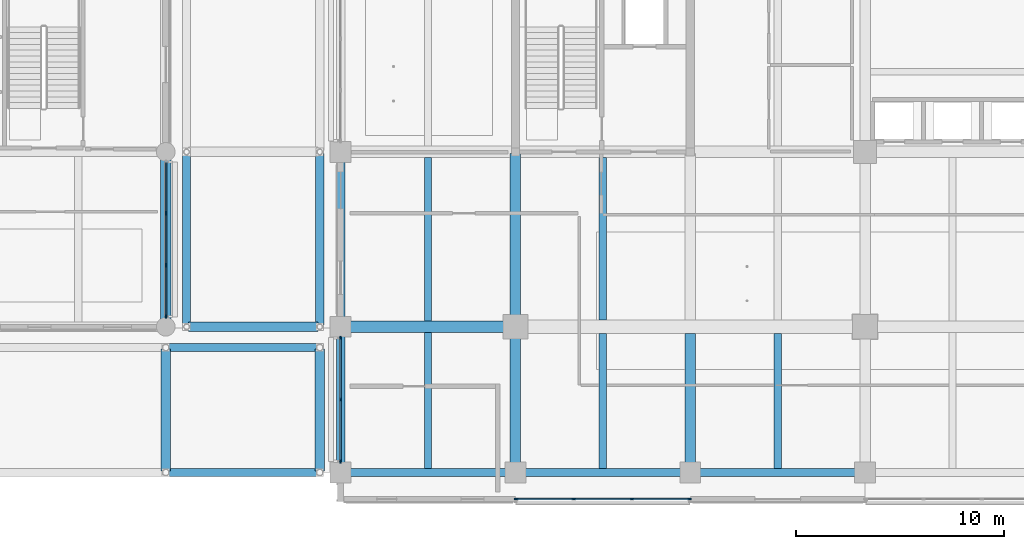
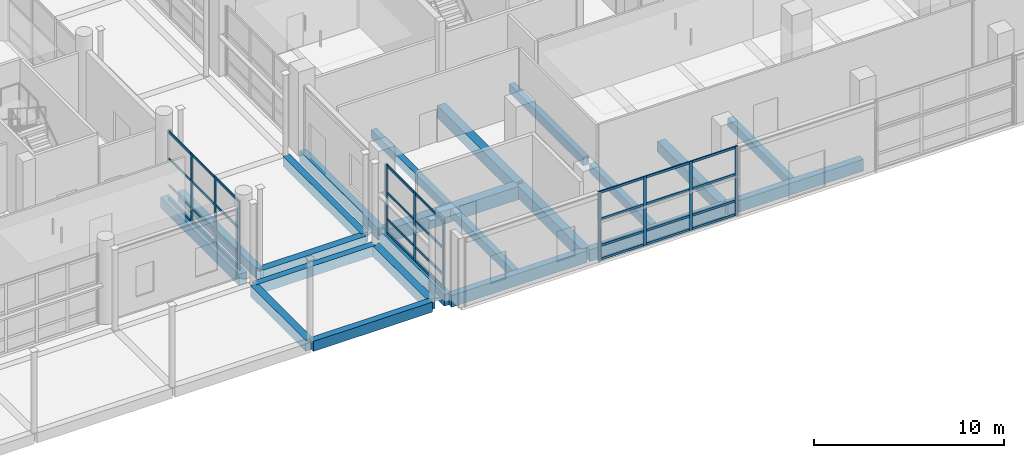
# One storey, part 20 of 140: 42 members, 22 beams, 3 elements without a shape of their own.
"""IFC4 building model written with IfcOpenShell, lengths in metres."""

from ifc_helpers import new_model, si_unit, direction, frame, origin, origin_2d, place, context, subcontext, project, spatial, rectangle, extrude, material, layer, layer_set, material_profile, profile_set, type_object, element, aggregate, save


model = new_model("IFC4")

# Units and contexts
model_context = context("Model", 3, precision=1e-05, world=origin(), true_north=direction((0.0, 1.0)))
body_context = subcontext(model_context, "Body", "Model", "MODEL_VIEW")
ifc_project = project(units=[si_unit("LENGTHUNIT", "METRE"), si_unit("AREAUNIT", "SQUARE_METRE"), si_unit("VOLUMEUNIT", "CUBIC_METRE"), si_unit("PLANEANGLEUNIT", "RADIAN"), si_unit("MASSUNIT", "GRAM", prefix="KILO")], contexts=[model_context])

# Site, building, storey
site_placement = place(None, origin())
site = spatial("IfcSite", under=ifc_project, at=site_placement, CompositionType="ELEMENT")
building_placement = place(site_placement, origin())
building = spatial("IfcBuilding", under=site, at=building_placement, Name="Telukmera Botanical Conservatory", CompositionType="ELEMENT")
storey_placement = place(building_placement, origin())
storey = spatial("IfcBuildingStorey", under=building, at=storey_placement, Name="L00", CompositionType="ELEMENT", Elevation=0.0)

# Beams
ifc_material_1 = material(Name="Concrete C40/50", Category="concrete")
ifc_material_profile_1 = material_profile(ifc_material_1, rectangle(XDim=0.5, YDim=0.699951171875, at=origin_2d()), Name="RC 500x700")
ifc_profile_set_1 = profile_set([ifc_material_profile_1], Name="Concrete C40/50")
beam_type_1 = type_object("IfcBeamType", Name="Beam_B14", PredefinedType="BEAM", material=ifc_profile_set_1)
beam_1_placement = place(storey_placement, frame((67.199951171875, 10.679931640625, -0.35009765625), z_axis=(0.0, 1.0, 0.0), x_axis=(-1.0, 0.0, 0.0)))
element("IfcBeam", 1, at=beam_1_placement, inside=storey, type_object=beam_type_1, Name="Tower Hall Secondary Girder L00", PredefinedType="BEAM", context=body_context, shape_type="SweptSolid", body=[
    extrude(rectangle(XDim=0.5, YDim=0.699951171875, at=origin_2d()), origin(), (0.0, 0.0, 1.0), 6.594970703125),
])
beam_2_placement = place(storey_placement, frame((42.0, 17.679931640625, -0.35009765625), z_axis=(0.0, 1.0, 0.0), x_axis=(-1.0, 0.0, 0.0)))
element("IfcBeam", 2, at=beam_2_placement, inside=storey, type_object=beam_type_1, Name="Visitor Wing Transverse Beam L00", PredefinedType="BEAM", context=body_context, shape_type="SweptSolid", body=[
    extrude(rectangle(XDim=0.5, YDim=0.699951171875, at=origin_2d()), origin(), (0.0, 0.0, 1.0), 8.239990234375),
])
ifc_material_profile_2 = material_profile(ifc_material_1, rectangle(XDim=0.449951171875, YDim=0.699951171875, at=origin_2d()), Name="RC 450x700")
ifc_profile_set_2 = profile_set([ifc_material_profile_2], Name="Concrete C40/50")
beam_type_2 = type_object("IfcBeamType", Name="Beam_B15", PredefinedType="BEAM", material=ifc_profile_set_2)
for number, where, z_axis, x_axis, name in (
    (3, (42.0, 10.679931640625, -0.35009765625), (0.0, 1.0, 0.0), (-1.0, 0.0, 0.0), "Forecourt Deck Transverse Beam L00"),
    (4, (49.39990234375, 10.679931640625, -0.35009765625), (0.0, 1.0, 0.0), (-1.0, 0.0, 0.0), "Forecourt Deck Transverse Beam L00"),
):
    element("IfcBeam", number, at=place(storey_placement, frame(where, z_axis=z_axis, x_axis=x_axis)), inside=storey, type_object=beam_type_2, Name=name, PredefinedType="BEAM", context=body_context, shape_type="SweptSolid", body=[
        extrude(rectangle(XDim=0.449951171875, YDim=0.699951171875, at=origin_2d()), origin(), (0.0, 0.0, 1.0), 5.840087890625),
    ])
beam_3_placement = place(storey_placement, frame((43.080078125, 17.60009765625, -0.35009765625), z_axis=(1.0, 0.0, 0.0), x_axis=(0.0, 1.0, 0.0)))
element("IfcBeam", 5, at=beam_3_placement, inside=storey, type_object=beam_type_2, Name="West Arcade Deck Transverse Beam L00", PredefinedType="BEAM", context=body_context, shape_type="SweptSolid", body=[
    extrude(rectangle(XDim=0.449951171875, YDim=0.699951171875, at=origin_2d()), origin(), (0.0, 0.0, 1.0), 6.239990234375),
])
ifc_material_profile_3 = material_profile(ifc_material_1, rectangle(XDim=0.35009765625, YDim=0.550048828125, at=origin_2d()), Name="RC 350x550")
ifc_profile_set_3 = profile_set([ifc_material_profile_3], Name="Concrete C40/50")
beam_type_3 = type_object("IfcBeamType", Name="Beam_B21", PredefinedType="JOIST", material=ifc_profile_set_3)
beam_4_placement = place(storey_placement, frame((54.60009765625, 10.800048828125, -0.27490234375), z_axis=(0.0, 1.0, 0.0), x_axis=(-1.0, 0.0, 0.0)))
element("IfcBeam", 6, at=beam_4_placement, inside=storey, type_object=beam_type_3, Name="Tower Secondary Floor Joist L00", PredefinedType="JOIST", context=body_context, shape_type="SweptSolid", body=[
    extrude(rectangle(XDim=0.35009765625, YDim=0.550048828125, at=origin_2d()), origin(), (0.0, 0.0, 1.0), 6.52490234375),
])
beam_5_placement = place(storey_placement, frame((54.60009765625, 17.875, -0.27490234375), z_axis=(0.0, 1.0, 0.0), x_axis=(-1.0, 0.0, 0.0)))
element("IfcBeam", 7, at=beam_5_placement, inside=storey, type_object=beam_type_3, Name="Tower Secondary Floor Joist L00", PredefinedType="JOIST", context=body_context, shape_type="SweptSolid", body=[
    extrude(rectangle(XDim=0.35009765625, YDim=0.550048828125, at=origin_2d()), origin(), (0.0, 0.0, 1.0), 7.85009765625),
])
beam_6_placement = place(storey_placement, frame((63.0, 10.800048828125, -0.27490234375), z_axis=(0.0, 1.0, 0.0), x_axis=(-1.0, 0.0, 0.0)))
element("IfcBeam", 8, at=beam_6_placement, inside=storey, type_object=beam_type_3, Name="Tower Secondary Floor Joist L00", PredefinedType="JOIST", context=body_context, shape_type="SweptSolid", body=[
    extrude(rectangle(XDim=0.35009765625, YDim=0.550048828125, at=origin_2d()), origin(), (0.0, 0.0, 1.0), 6.474853515625),
])
beam_7_placement = place(storey_placement, frame((63.0, 17.925048828125, -0.27490234375), z_axis=(0.0, 1.0, 0.0), x_axis=(-1.0, 0.0, 0.0)))
element("IfcBeam", 9, at=beam_7_placement, inside=storey, type_object=beam_type_3, Name="Tower Secondary Floor Joist L00", PredefinedType="JOIST", context=body_context, shape_type="SweptSolid", body=[
    extrude(rectangle(XDim=0.35009765625, YDim=0.550048828125, at=origin_2d()), origin(), (0.0, 0.0, 1.0), 7.800048828125),
])
beam_8_placement = place(storey_placement, frame((71.39990234375, 10.800048828125, -0.27490234375), z_axis=(0.0, 1.0, 0.0), x_axis=(-1.0, 0.0, 0.0)))
element("IfcBeam", 10, at=beam_8_placement, inside=storey, type_object=beam_type_3, Name="Tower Secondary Floor Joist L00", PredefinedType="JOIST", context=body_context, shape_type="SweptSolid", body=[
    extrude(rectangle(XDim=0.35009765625, YDim=0.550048828125, at=origin_2d()), origin(), (0.0, 0.0, 1.0), 6.474853515625),
])
ifc_material_profile_4 = material_profile(ifc_material_1, rectangle(XDim=0.550048828125, YDim=0.85009765625, at=origin_2d()), Name="RC 550x850")
ifc_profile_set_4 = profile_set([ifc_material_profile_4], Name="Concrete C40/50")
beam_type_4 = type_object("IfcBeamType", Name="Beam_B4", PredefinedType="BEAM", material=ifc_profile_set_4)
beam_9_placement = place(storey_placement, frame((50.47998046875, 17.60009765625, -0.425048828125), z_axis=(1.0, 0.0, 0.0), x_axis=(0.0, 1.0, 0.0)))
element("IfcBeam", 11, at=beam_9_placement, inside=storey, type_object=beam_type_4, Name="Tower Grid Beam L00", PredefinedType="BEAM", context=body_context, shape_type="SweptSolid", body=[
    extrude(rectangle(XDim=0.550048828125, YDim=0.85009765625, at=origin_2d()), origin(), (0.0, 0.0, 1.0), 8.239990234375),
])
ifc_material_profile_5 = material_profile(ifc_material_1, rectangle(XDim=0.5, YDim=0.800048828125, at=origin_2d()), Name="RC 500x800")
ifc_profile_set_5 = profile_set([ifc_material_profile_5], Name="Concrete C40/50")
beam_type_5 = type_object("IfcBeamType", Name="Beam_B5", PredefinedType="BEAM", material=ifc_profile_set_5)
beam_10_placement = place(storey_placement, frame((58.800048828125, 10.679931640625, -0.39990234375), z_axis=(0.0, 1.0, 0.0), x_axis=(-1.0, 0.0, 0.0)))
element("IfcBeam", 12, at=beam_10_placement, inside=storey, type_object=beam_type_5, Name="Tower Transverse Beam L00", PredefinedType="BEAM", context=body_context, shape_type="SweptSolid", body=[
    extrude(rectangle(XDim=0.5, YDim=0.800048828125, at=origin_2d()), origin(), (0.0, 0.0, 1.0), 6.840087890625),
])
beam_11_placement = place(storey_placement, frame((58.800048828125, 17.679931640625, -0.39990234375), z_axis=(0.0, 1.0, 0.0), x_axis=(-1.0, 0.0, 0.0)))
element("IfcBeam", 13, at=beam_11_placement, inside=storey, type_object=beam_type_5, Name="Tower Transverse Beam L00", PredefinedType="BEAM", context=body_context, shape_type="SweptSolid", body=[
    extrude(rectangle(XDim=0.5, YDim=0.800048828125, at=origin_2d()), origin(), (0.0, 0.0, 1.0), 8.239990234375),
])
ifc_material_profile_6 = material_profile(ifc_material_1, rectangle(XDim=0.39990234375, YDim=0.64990234375, at=origin_2d()), Name="RC 400x650")
ifc_profile_set_6 = profile_set([ifc_material_profile_6], Name="Concrete C40/50")
beam_type_6 = type_object("IfcBeamType", Name="Beam_B8", PredefinedType="BEAM", material=ifc_profile_set_6)
for number, where, z_axis, x_axis, name in (
    (14, (42.080078125, 10.60009765625, -0.324951171875), (1.0, 0.0, 0.0), (0.0, 1.0, 0.0), "Forecourt Deck Girder L00"),
    (15, (42.080078125, 16.60009765625, -0.324951171875), (1.0, 0.0, 0.0), (0.0, 1.0, 0.0), "Forecourt Deck Girder L00"),
):
    element("IfcBeam", number, at=place(storey_placement, frame(where, z_axis=z_axis, x_axis=x_axis)), inside=storey, type_object=beam_type_6, Name=name, PredefinedType="BEAM", context=body_context, shape_type="SweptSolid", body=[
        extrude(rectangle(XDim=0.39990234375, YDim=0.64990234375, at=origin_2d()), origin(), (0.0, 0.0, 1.0), 7.239990234375),
    ])
for number, where, z_axis, x_axis, name in (
    (16, (43.0, 17.679931640625, -0.324951171875), (0.0, 1.0, 0.0), (-1.0, 0.0, 0.0), "West Arcade Deck Girder L00"),
    (17, (49.39990234375, 17.679931640625, -0.324951171875), (0.0, 1.0, 0.0), (-1.0, 0.0, 0.0), "West Arcade Deck Girder L00"),
):
    element("IfcBeam", number, at=place(storey_placement, frame(where, z_axis=z_axis, x_axis=x_axis)), inside=storey, type_object=beam_type_6, Name=name, PredefinedType="BEAM", context=body_context, shape_type="SweptSolid", body=[
        extrude(rectangle(XDim=0.39990234375, YDim=0.64990234375, at=origin_2d()), origin(), (0.0, 0.0, 1.0), 8.239990234375),
    ])
ifc_material_2 = material(Name="Precast concrete C40/50", Category="concrete")
ifc_material_profile_7 = material_profile(ifc_material_2, rectangle(XDim=0.39990234375, YDim=0.75, at=origin_2d()), Name="PC 400x750")
ifc_profile_set_7 = profile_set([ifc_material_profile_7], Name="Precast concrete C40/50")
beam_type_7 = type_object("IfcBeamType", Name="Beam_SP1", PredefinedType="SPANDREL", material=ifc_profile_set_7)
beam_12_placement = place(storey_placement, frame((50.47998046875, 10.60009765625, -0.375), z_axis=(1.0, 0.0, 0.0), x_axis=(0.0, 1.0, 0.0)))
element("IfcBeam", 18, at=beam_12_placement, inside=storey, type_object=beam_type_7, Name="Tower Grid Beam L00", PredefinedType="SPANDREL", context=body_context, shape_type="SweptSolid", body=[
    extrude(rectangle(XDim=0.39990234375, YDim=0.75, at=origin_2d()), origin(), (0.0, 0.0, 1.0), 8.239990234375),
])
beam_13_placement = place(storey_placement, frame((58.8798828125, 10.60009765625, -0.375), z_axis=(1.0, 0.0, 0.0), x_axis=(0.0, 1.0, 0.0)))
element("IfcBeam", 19, at=beam_13_placement, inside=storey, type_object=beam_type_7, Name="Tower Grid Beam L00", PredefinedType="SPANDREL", context=body_context, shape_type="SweptSolid", body=[
    extrude(rectangle(XDim=0.39990234375, YDim=0.75, at=origin_2d()), origin(), (0.0, 0.0, 1.0), 8.240234375),
])
beam_14_placement = place(storey_placement, frame((67.280029296875, 10.60009765625, -0.375), z_axis=(1.0, 0.0, 0.0), x_axis=(0.0, 1.0, 0.0)))
element("IfcBeam", 20, at=beam_14_placement, inside=storey, type_object=beam_type_7, Name="Tower Grid Beam L00", PredefinedType="SPANDREL", context=body_context, shape_type="SweptSolid", body=[
    extrude(rectangle(XDim=0.39990234375, YDim=0.75, at=origin_2d()), origin(), (0.0, 0.0, 1.0), 8.239990234375),
])
beam_15_placement = place(storey_placement, frame((50.39990234375, 10.679931640625, -0.375), z_axis=(0.0, 1.0, 0.0), x_axis=(-1.0, 0.0, 0.0)))
element("IfcBeam", 21, at=beam_15_placement, inside=storey, type_object=beam_type_7, Name="Tower Transverse Beam L00", PredefinedType="SPANDREL", context=body_context, shape_type="SweptSolid", body=[
    extrude(rectangle(XDim=0.39990234375, YDim=0.75, at=origin_2d()), origin(), (0.0, 0.0, 1.0), 6.840087890625),
])
beam_16_placement = place(storey_placement, frame((50.39990234375, 17.679931640625, -0.375), z_axis=(0.0, 1.0, 0.0), x_axis=(-1.0, 0.0, 0.0)))
element("IfcBeam", 22, at=beam_16_placement, inside=storey, type_object=beam_type_7, Name="Tower Transverse Beam L00", PredefinedType="SPANDREL", context=body_context, shape_type="SweptSolid", body=[
    extrude(rectangle(XDim=0.39990234375, YDim=0.75, at=origin_2d()), origin(), (0.0, 0.0, 1.0), 8.239990234375),
])

# Curtain wall, members
ifc_material_3 = material(Name="Anodised aluminium 6063-T6", Category="aluminium")
ifc_layer_1 = layer(ifc_material_3, 0.179931640625)
ifc_layer_set_1 = layer_set([ifc_layer_1], Name="Anodised aluminium 6063-T6")
curtain_wall_type_1 = type_object("IfcCurtainWallType", Name="Visitor Colonnade Ground Curtain Wall 2400 Mod", PredefinedType="USERDEFINED", material=ifc_layer_set_1)
curtain_wall_1_placement = place(storey_placement, origin())
curtain_wall_1 = element("IfcCurtainWall", 23, at=curtain_wall_1_placement, inside=storey, type_object=curtain_wall_type_1, Name="Unitised Curtain Wall CW07 V3:L00:E1", ObjectType="UNITISED CURTAIN WALL", PredefinedType="USERDEFINED")
ifc_material_profile_8 = material_profile(ifc_material_3, rectangle(XDim=0.070068359375, YDim=0.179931640625, at=origin_2d()), Name="ALU MULL 70x180")
ifc_profile_set_8 = profile_set([ifc_material_profile_8], Name="Anodised aluminium 6063-T6")
member_type_1 = type_object("IfcMemberType", Name="Curtain Wall Extruded Mullion 70x180", PredefinedType="MULLION", material=ifc_profile_set_8)
member_1_placement = place(storey_placement, frame((42.0, 18.0869140625, 0.0), z_axis=(0.0, 0.0, 1.0), x_axis=(-1.0, 0.0, 0.0)))
member_1 = element("IfcMember", 24, at=member_1_placement, type_object=member_type_1, Name="CW07 mullion 1", PredefinedType="MULLION", context=body_context, shape_type="SweptSolid", body=[
    extrude(rectangle(XDim=0.070068359375, YDim=0.179931640625, at=origin_2d()), origin(), (0.0, 0.0, 1.0), 4.449951171875),
])
member_2_placement = place(storey_placement, frame((42.0, 20.55078125, 0.0), z_axis=(0.0, 0.0, 1.0), x_axis=(-1.0, 0.0, 0.0)))
member_2 = element("IfcMember", 25, at=member_2_placement, type_object=member_type_1, Name="CW07 mullion 2", PredefinedType="MULLION", context=body_context, shape_type="SweptSolid", body=[
    extrude(rectangle(XDim=0.070068359375, YDim=0.179931640625, at=origin_2d()), origin(), (0.0, 0.0, 1.0), 4.449951171875),
])
member_3_placement = place(storey_placement, frame((42.0, 23.04931640625, 0.0), z_axis=(0.0, 0.0, 1.0), x_axis=(-1.0, 0.0, 0.0)))
member_3 = element("IfcMember", 26, at=member_3_placement, type_object=member_type_1, Name="CW07 mullion 3", PredefinedType="MULLION", context=body_context, shape_type="SweptSolid", body=[
    extrude(rectangle(XDim=0.070068359375, YDim=0.179931640625, at=origin_2d()), origin(), (0.0, 0.0, 1.0), 4.449951171875),
])

ifc_layer_2 = layer(ifc_material_3, 0.179931640625)
ifc_layer_set_2 = layer_set([ifc_layer_2], Name="Anodised aluminium 6063-T6")
curtain_wall_type_2 = type_object("IfcCurtainWallType", Name="Tower Boulevard Podium Hall Curtain Wall", PredefinedType="USERDEFINED", material=ifc_layer_set_2)
curtain_wall_2_placement = place(storey_placement, origin())
curtain_wall_2 = element("IfcCurtainWall", 27, at=curtain_wall_2_placement, inside=storey, type_object=curtain_wall_type_2, Name="Unitised Curtain Wall CW12 V4:L00:S2", ObjectType="UNITISED CURTAIN WALL", PredefinedType="USERDEFINED")
member_4_placement = place(storey_placement, frame((58.8369140625, 9.320068359375, 0.0), z_axis=(0.0, 0.0, 1.0), x_axis=(0.0, 1.0, 0.0)))
member_4 = element("IfcMember", 28, at=member_4_placement, type_object=member_type_1, Name="CW12 mullion 1", PredefinedType="MULLION", context=body_context, shape_type="SweptSolid", body=[
    extrude(rectangle(XDim=0.070068359375, YDim=0.179931640625, at=origin_2d()), origin(), (0.0, 0.0, 1.0), 4.449951171875),
])
member_5_placement = place(storey_placement, frame((61.6005859375, 9.320068359375, 0.0), z_axis=(0.0, 0.0, 1.0), x_axis=(0.0, 1.0, 0.0)))
member_5 = element("IfcMember", 29, at=member_5_placement, type_object=member_type_1, Name="CW12 mullion 2", PredefinedType="MULLION", context=body_context, shape_type="SweptSolid", body=[
    extrude(rectangle(XDim=0.070068359375, YDim=0.179931640625, at=origin_2d()), origin(), (0.0, 0.0, 1.0), 4.449951171875),
])
member_6_placement = place(storey_placement, frame((64.3994140625, 9.320068359375, 0.0), z_axis=(0.0, 0.0, 1.0), x_axis=(0.0, 1.0, 0.0)))
member_6 = element("IfcMember", 30, at=member_6_placement, type_object=member_type_1, Name="CW12 mullion 3", PredefinedType="MULLION", context=body_context, shape_type="SweptSolid", body=[
    extrude(rectangle(XDim=0.070068359375, YDim=0.179931640625, at=origin_2d()), origin(), (0.0, 0.0, 1.0), 4.449951171875),
])
member_7_placement = place(storey_placement, frame((67.1630859375, 9.320068359375, 0.0), z_axis=(0.0, 0.0, 1.0), x_axis=(0.0, 1.0, 0.0)))
member_7 = element("IfcMember", 31, at=member_7_placement, type_object=member_type_1, Name="CW12 mullion 4", PredefinedType="MULLION", context=body_context, shape_type="SweptSolid", body=[
    extrude(rectangle(XDim=0.070068359375, YDim=0.179931640625, at=origin_2d()), origin(), (0.0, 0.0, 1.0), 4.449951171875),
])

curtain_wall_3_placement = place(storey_placement, origin())
curtain_wall_3 = element("IfcCurtainWall", 32, at=curtain_wall_3_placement, inside=storey, type_object=curtain_wall_type_2, Name="Unitised Curtain Wall CW12 V4:L00:W1", ObjectType="UNITISED CURTAIN WALL", PredefinedType="USERDEFINED")
member_8_placement = place(storey_placement, frame((50.39990234375, 11.136962890625, 0.0), z_axis=(0.0, 0.0, 1.0), x_axis=(-1.0, 0.0, 0.0)))
member_8 = element("IfcMember", 33, at=member_8_placement, type_object=member_type_1, Name="CW12 mullion 1", PredefinedType="MULLION", context=body_context, shape_type="SweptSolid", body=[
    extrude(rectangle(XDim=0.070068359375, YDim=0.179931640625, at=origin_2d()), origin(), (0.0, 0.0, 1.0), 4.449951171875),
])
member_9_placement = place(storey_placement, frame((50.39990234375, 14.10009765625, 0.0), z_axis=(0.0, 0.0, 1.0), x_axis=(-1.0, 0.0, 0.0)))
member_9 = element("IfcMember", 34, at=member_9_placement, type_object=member_type_1, Name="CW12 mullion 2", PredefinedType="MULLION", context=body_context, shape_type="SweptSolid", body=[
    extrude(rectangle(XDim=0.070068359375, YDim=0.179931640625, at=origin_2d()), origin(), (0.0, 0.0, 1.0), 4.449951171875),
])
member_10_placement = place(storey_placement, frame((50.39990234375, 17.06298828125, 0.0), z_axis=(0.0, 0.0, 1.0), x_axis=(-1.0, 0.0, 0.0)))
member_10 = element("IfcMember", 35, at=member_10_placement, type_object=member_type_1, Name="CW12 mullion 3", PredefinedType="MULLION", context=body_context, shape_type="SweptSolid", body=[
    extrude(rectangle(XDim=0.070068359375, YDim=0.179931640625, at=origin_2d()), origin(), (0.0, 0.0, 1.0), 4.449951171875),
])

# Member
ifc_material_profile_9 = material_profile(ifc_material_3, rectangle(XDim=0.070068359375, YDim=0.14990234375, at=origin_2d()), Name="ALU TRAN 70x150")
ifc_profile_set_9 = profile_set([ifc_material_profile_9], Name="Anodised aluminium 6063-T6")
member_type_2 = type_object("IfcMemberType", Name="Curtain Wall Extruded Transom 70x150", PredefinedType="USERDEFINED", material=ifc_profile_set_9)
member_11_placement = place(storey_placement, frame((42.0, 18.1220703125, 0.074951171875), z_axis=(0.0, 1.0, 0.0), x_axis=(-1.0, 0.0, 0.0)))
member_11 = element("IfcMember", 36, at=member_11_placement, type_object=member_type_2, Name="CW07 transom 1.1", ObjectType="TRANSOM", PredefinedType="USERDEFINED", context=body_context, shape_type="SweptSolid", body=[
    extrude(rectangle(XDim=0.070068359375, YDim=0.14990234375, at=origin_2d()), origin(), (0.0, 0.0, 1.0), 2.3935546875),
])

member_12_placement = place(storey_placement, frame((42.0, 18.1220703125, 0.949951171875), z_axis=(0.0, 1.0, 0.0), x_axis=(-1.0, 0.0, 0.0)))
member_12 = element("IfcMember", 37, at=member_12_placement, type_object=member_type_2, Name="CW07 transom 1.2", ObjectType="TRANSOM", PredefinedType="USERDEFINED", context=body_context, shape_type="SweptSolid", body=[
    extrude(rectangle(XDim=0.070068359375, YDim=0.14990234375, at=origin_2d()), origin(), (0.0, 0.0, 1.0), 2.3935546875),
])

member_13_placement = place(storey_placement, frame((42.0, 18.1220703125, 2.64990234375), z_axis=(0.0, 1.0, 0.0), x_axis=(-1.0, 0.0, 0.0)))
member_13 = element("IfcMember", 38, at=member_13_placement, type_object=member_type_2, Name="CW07 transom 1.3", ObjectType="TRANSOM", PredefinedType="USERDEFINED", context=body_context, shape_type="SweptSolid", body=[
    extrude(rectangle(XDim=0.070068359375, YDim=0.14990234375, at=origin_2d()), origin(), (0.0, 0.0, 1.0), 2.3935546875),
])

member_14_placement = place(storey_placement, frame((42.0, 18.1220703125, 4.375), z_axis=(0.0, 1.0, 0.0), x_axis=(-1.0, 0.0, 0.0)))
member_14 = element("IfcMember", 39, at=member_14_placement, type_object=member_type_2, Name="CW07 transom 1.4", ObjectType="TRANSOM", PredefinedType="USERDEFINED", context=body_context, shape_type="SweptSolid", body=[
    extrude(rectangle(XDim=0.070068359375, YDim=0.14990234375, at=origin_2d()), origin(), (0.0, 0.0, 1.0), 2.3935546875),
])

member_15_placement = place(storey_placement, frame((42.0, 20.585693359375, 0.074951171875), z_axis=(0.0, 1.0, 0.0), x_axis=(-1.0, 0.0, 0.0)))
member_15 = element("IfcMember", 40, at=member_15_placement, type_object=member_type_2, Name="CW07 transom 2.1", ObjectType="TRANSOM", PredefinedType="USERDEFINED", context=body_context, shape_type="SweptSolid", body=[
    extrude(rectangle(XDim=0.070068359375, YDim=0.14990234375, at=origin_2d()), origin(), (0.0, 0.0, 1.0), 2.4287109375),
])

member_16_placement = place(storey_placement, frame((42.0, 20.585693359375, 0.949951171875), z_axis=(0.0, 1.0, 0.0), x_axis=(-1.0, 0.0, 0.0)))
member_16 = element("IfcMember", 41, at=member_16_placement, type_object=member_type_2, Name="CW07 transom 2.2", ObjectType="TRANSOM", PredefinedType="USERDEFINED", context=body_context, shape_type="SweptSolid", body=[
    extrude(rectangle(XDim=0.070068359375, YDim=0.14990234375, at=origin_2d()), origin(), (0.0, 0.0, 1.0), 2.4287109375),
])

member_17_placement = place(storey_placement, frame((42.0, 20.585693359375, 2.64990234375), z_axis=(0.0, 1.0, 0.0), x_axis=(-1.0, 0.0, 0.0)))
member_17 = element("IfcMember", 42, at=member_17_placement, type_object=member_type_2, Name="CW07 transom 2.3", ObjectType="TRANSOM", PredefinedType="USERDEFINED", context=body_context, shape_type="SweptSolid", body=[
    extrude(rectangle(XDim=0.070068359375, YDim=0.14990234375, at=origin_2d()), origin(), (0.0, 0.0, 1.0), 2.4287109375),
])

member_18_placement = place(storey_placement, frame((42.0, 20.585693359375, 4.375), z_axis=(0.0, 1.0, 0.0), x_axis=(-1.0, 0.0, 0.0)))
member_18 = element("IfcMember", 43, at=member_18_placement, type_object=member_type_2, Name="CW07 transom 2.4", ObjectType="TRANSOM", PredefinedType="USERDEFINED", context=body_context, shape_type="SweptSolid", body=[
    extrude(rectangle(XDim=0.070068359375, YDim=0.14990234375, at=origin_2d()), origin(), (0.0, 0.0, 1.0), 2.4287109375),
])

member_19_placement = place(storey_placement, frame((42.0, 23.084228515625, 0.074951171875), z_axis=(0.0, 1.0, 0.0), x_axis=(-1.0, 0.0, 0.0)))
member_19 = element("IfcMember", 44, at=member_19_placement, type_object=member_type_2, Name="CW07 transom 3.1", ObjectType="TRANSOM", PredefinedType="USERDEFINED", context=body_context, shape_type="SweptSolid", body=[
    extrude(rectangle(XDim=0.070068359375, YDim=0.14990234375, at=origin_2d()), origin(), (0.0, 0.0, 1.0), 2.393798828125),
])

member_20_placement = place(storey_placement, frame((42.0, 23.084228515625, 0.949951171875), z_axis=(0.0, 1.0, 0.0), x_axis=(-1.0, 0.0, 0.0)))
member_20 = element("IfcMember", 45, at=member_20_placement, type_object=member_type_2, Name="CW07 transom 3.2", ObjectType="TRANSOM", PredefinedType="USERDEFINED", context=body_context, shape_type="SweptSolid", body=[
    extrude(rectangle(XDim=0.070068359375, YDim=0.14990234375, at=origin_2d()), origin(), (0.0, 0.0, 1.0), 2.393798828125),
])

member_21_placement = place(storey_placement, frame((42.0, 23.084228515625, 2.64990234375), z_axis=(0.0, 1.0, 0.0), x_axis=(-1.0, 0.0, 0.0)))
member_21 = element("IfcMember", 46, at=member_21_placement, type_object=member_type_2, Name="CW07 transom 3.3", ObjectType="TRANSOM", PredefinedType="USERDEFINED", context=body_context, shape_type="SweptSolid", body=[
    extrude(rectangle(XDim=0.070068359375, YDim=0.14990234375, at=origin_2d()), origin(), (0.0, 0.0, 1.0), 2.393798828125),
])

member_22_placement = place(storey_placement, frame((42.0, 23.084228515625, 4.375), z_axis=(0.0, 1.0, 0.0), x_axis=(-1.0, 0.0, 0.0)))
member_22 = element("IfcMember", 47, at=member_22_placement, type_object=member_type_2, Name="CW07 transom 3.4", ObjectType="TRANSOM", PredefinedType="USERDEFINED", context=body_context, shape_type="SweptSolid", body=[
    extrude(rectangle(XDim=0.070068359375, YDim=0.14990234375, at=origin_2d()), origin(), (0.0, 0.0, 1.0), 2.393798828125),
])

aggregate(curtain_wall_1, [member_1, member_2, member_3, member_11, member_12, member_13, member_14, member_15, member_16, member_17, member_18, member_19, member_20, member_21, member_22])

member_23_placement = place(storey_placement, frame((58.8720703125, 9.320068359375, 0.074951171875), z_axis=(1.0, 0.0, 0.0), x_axis=(0.0, 1.0, 0.0)))
member_23 = element("IfcMember", 48, at=member_23_placement, type_object=member_type_2, Name="CW12 transom 1.1", ObjectType="TRANSOM", PredefinedType="USERDEFINED", context=body_context, shape_type="SweptSolid", body=[
    extrude(rectangle(XDim=0.070068359375, YDim=0.14990234375, at=origin_2d()), origin(), (0.0, 0.0, 1.0), 2.693603515625),
])

member_24_placement = place(storey_placement, frame((58.8720703125, 9.320068359375, 0.949951171875), z_axis=(1.0, 0.0, 0.0), x_axis=(0.0, 1.0, 0.0)))
member_24 = element("IfcMember", 49, at=member_24_placement, type_object=member_type_2, Name="CW12 transom 1.2", ObjectType="TRANSOM", PredefinedType="USERDEFINED", context=body_context, shape_type="SweptSolid", body=[
    extrude(rectangle(XDim=0.070068359375, YDim=0.14990234375, at=origin_2d()), origin(), (0.0, 0.0, 1.0), 2.693603515625),
])

member_25_placement = place(storey_placement, frame((58.8720703125, 9.320068359375, 2.64990234375), z_axis=(1.0, 0.0, 0.0), x_axis=(0.0, 1.0, 0.0)))
member_25 = element("IfcMember", 50, at=member_25_placement, type_object=member_type_2, Name="CW12 transom 1.3", ObjectType="TRANSOM", PredefinedType="USERDEFINED", context=body_context, shape_type="SweptSolid", body=[
    extrude(rectangle(XDim=0.070068359375, YDim=0.14990234375, at=origin_2d()), origin(), (0.0, 0.0, 1.0), 2.693603515625),
])

member_26_placement = place(storey_placement, frame((58.8720703125, 9.320068359375, 4.375), z_axis=(1.0, 0.0, 0.0), x_axis=(0.0, 1.0, 0.0)))
member_26 = element("IfcMember", 51, at=member_26_placement, type_object=member_type_2, Name="CW12 transom 1.4", ObjectType="TRANSOM", PredefinedType="USERDEFINED", context=body_context, shape_type="SweptSolid", body=[
    extrude(rectangle(XDim=0.070068359375, YDim=0.14990234375, at=origin_2d()), origin(), (0.0, 0.0, 1.0), 2.693603515625),
])

member_27_placement = place(storey_placement, frame((61.6357421875, 9.320068359375, 0.074951171875), z_axis=(1.0, 0.0, 0.0), x_axis=(0.0, 1.0, 0.0)))
member_27 = element("IfcMember", 52, at=member_27_placement, type_object=member_type_2, Name="CW12 transom 2.1", ObjectType="TRANSOM", PredefinedType="USERDEFINED", context=body_context, shape_type="SweptSolid", body=[
    extrude(rectangle(XDim=0.070068359375, YDim=0.14990234375, at=origin_2d()), origin(), (0.0, 0.0, 1.0), 2.728515625),
])

member_28_placement = place(storey_placement, frame((61.6357421875, 9.320068359375, 0.949951171875), z_axis=(1.0, 0.0, 0.0), x_axis=(0.0, 1.0, 0.0)))
member_28 = element("IfcMember", 53, at=member_28_placement, type_object=member_type_2, Name="CW12 transom 2.2", ObjectType="TRANSOM", PredefinedType="USERDEFINED", context=body_context, shape_type="SweptSolid", body=[
    extrude(rectangle(XDim=0.070068359375, YDim=0.14990234375, at=origin_2d()), origin(), (0.0, 0.0, 1.0), 2.728515625),
])

member_29_placement = place(storey_placement, frame((61.6357421875, 9.320068359375, 2.64990234375), z_axis=(1.0, 0.0, 0.0), x_axis=(0.0, 1.0, 0.0)))
member_29 = element("IfcMember", 54, at=member_29_placement, type_object=member_type_2, Name="CW12 transom 2.3", ObjectType="TRANSOM", PredefinedType="USERDEFINED", context=body_context, shape_type="SweptSolid", body=[
    extrude(rectangle(XDim=0.070068359375, YDim=0.14990234375, at=origin_2d()), origin(), (0.0, 0.0, 1.0), 2.728515625),
])

member_30_placement = place(storey_placement, frame((61.6357421875, 9.320068359375, 4.375), z_axis=(1.0, 0.0, 0.0), x_axis=(0.0, 1.0, 0.0)))
member_30 = element("IfcMember", 55, at=member_30_placement, type_object=member_type_2, Name="CW12 transom 2.4", ObjectType="TRANSOM", PredefinedType="USERDEFINED", context=body_context, shape_type="SweptSolid", body=[
    extrude(rectangle(XDim=0.070068359375, YDim=0.14990234375, at=origin_2d()), origin(), (0.0, 0.0, 1.0), 2.728515625),
])

member_31_placement = place(storey_placement, frame((64.434326171875, 9.320068359375, 0.074951171875), z_axis=(1.0, 0.0, 0.0), x_axis=(0.0, 1.0, 0.0)))
member_31 = element("IfcMember", 56, at=member_31_placement, type_object=member_type_2, Name="CW12 transom 3.1", ObjectType="TRANSOM", PredefinedType="USERDEFINED", context=body_context, shape_type="SweptSolid", body=[
    extrude(rectangle(XDim=0.070068359375, YDim=0.14990234375, at=origin_2d()), origin(), (0.0, 0.0, 1.0), 2.693603515625),
])

member_32_placement = place(storey_placement, frame((64.434326171875, 9.320068359375, 0.949951171875), z_axis=(1.0, 0.0, 0.0), x_axis=(0.0, 1.0, 0.0)))
member_32 = element("IfcMember", 57, at=member_32_placement, type_object=member_type_2, Name="CW12 transom 3.2", ObjectType="TRANSOM", PredefinedType="USERDEFINED", context=body_context, shape_type="SweptSolid", body=[
    extrude(rectangle(XDim=0.070068359375, YDim=0.14990234375, at=origin_2d()), origin(), (0.0, 0.0, 1.0), 2.693603515625),
])

member_33_placement = place(storey_placement, frame((64.434326171875, 9.320068359375, 2.64990234375), z_axis=(1.0, 0.0, 0.0), x_axis=(0.0, 1.0, 0.0)))
member_33 = element("IfcMember", 58, at=member_33_placement, type_object=member_type_2, Name="CW12 transom 3.3", ObjectType="TRANSOM", PredefinedType="USERDEFINED", context=body_context, shape_type="SweptSolid", body=[
    extrude(rectangle(XDim=0.070068359375, YDim=0.14990234375, at=origin_2d()), origin(), (0.0, 0.0, 1.0), 2.693603515625),
])

member_34_placement = place(storey_placement, frame((64.434326171875, 9.320068359375, 4.375), z_axis=(1.0, 0.0, 0.0), x_axis=(0.0, 1.0, 0.0)))
member_34 = element("IfcMember", 59, at=member_34_placement, type_object=member_type_2, Name="CW12 transom 3.4", ObjectType="TRANSOM", PredefinedType="USERDEFINED", context=body_context, shape_type="SweptSolid", body=[
    extrude(rectangle(XDim=0.070068359375, YDim=0.14990234375, at=origin_2d()), origin(), (0.0, 0.0, 1.0), 2.693603515625),
])

aggregate(curtain_wall_2, [member_4, member_5, member_6, member_7, member_23, member_24, member_25, member_26, member_27, member_28, member_29, member_30, member_31, member_32, member_33, member_34])

member_35_placement = place(storey_placement, frame((50.39990234375, 11.172119140625, 0.074951171875), z_axis=(0.0, 1.0, 0.0), x_axis=(-1.0, 0.0, 0.0)))
member_35 = element("IfcMember", 60, at=member_35_placement, type_object=member_type_2, Name="CW12 transom 1.1", ObjectType="TRANSOM", PredefinedType="USERDEFINED", context=body_context, shape_type="SweptSolid", body=[
    extrude(rectangle(XDim=0.070068359375, YDim=0.14990234375, at=origin_2d()), origin(), (0.0, 0.0, 1.0), 2.892822265625),
])

member_36_placement = place(storey_placement, frame((50.39990234375, 11.172119140625, 0.949951171875), z_axis=(0.0, 1.0, 0.0), x_axis=(-1.0, 0.0, 0.0)))
member_36 = element("IfcMember", 61, at=member_36_placement, type_object=member_type_2, Name="CW12 transom 1.2", ObjectType="TRANSOM", PredefinedType="USERDEFINED", context=body_context, shape_type="SweptSolid", body=[
    extrude(rectangle(XDim=0.070068359375, YDim=0.14990234375, at=origin_2d()), origin(), (0.0, 0.0, 1.0), 2.892822265625),
])

member_37_placement = place(storey_placement, frame((50.39990234375, 11.172119140625, 2.64990234375), z_axis=(0.0, 1.0, 0.0), x_axis=(-1.0, 0.0, 0.0)))
member_37 = element("IfcMember", 62, at=member_37_placement, type_object=member_type_2, Name="CW12 transom 1.3", ObjectType="TRANSOM", PredefinedType="USERDEFINED", context=body_context, shape_type="SweptSolid", body=[
    extrude(rectangle(XDim=0.070068359375, YDim=0.14990234375, at=origin_2d()), origin(), (0.0, 0.0, 1.0), 2.892822265625),
])

member_38_placement = place(storey_placement, frame((50.39990234375, 11.172119140625, 4.375), z_axis=(0.0, 1.0, 0.0), x_axis=(-1.0, 0.0, 0.0)))
member_38 = element("IfcMember", 63, at=member_38_placement, type_object=member_type_2, Name="CW12 transom 1.4", ObjectType="TRANSOM", PredefinedType="USERDEFINED", context=body_context, shape_type="SweptSolid", body=[
    extrude(rectangle(XDim=0.070068359375, YDim=0.14990234375, at=origin_2d()), origin(), (0.0, 0.0, 1.0), 2.892822265625),
])

member_39_placement = place(storey_placement, frame((50.39990234375, 14.135009765625, 0.074951171875), z_axis=(0.0, 1.0, 0.0), x_axis=(-1.0, 0.0, 0.0)))
member_39 = element("IfcMember", 64, at=member_39_placement, type_object=member_type_2, Name="CW12 transom 2.1", ObjectType="TRANSOM", PredefinedType="USERDEFINED", context=body_context, shape_type="SweptSolid", body=[
    extrude(rectangle(XDim=0.070068359375, YDim=0.14990234375, at=origin_2d()), origin(), (0.0, 0.0, 1.0), 2.89306640625),
])

member_40_placement = place(storey_placement, frame((50.39990234375, 14.135009765625, 0.949951171875), z_axis=(0.0, 1.0, 0.0), x_axis=(-1.0, 0.0, 0.0)))
member_40 = element("IfcMember", 65, at=member_40_placement, type_object=member_type_2, Name="CW12 transom 2.2", ObjectType="TRANSOM", PredefinedType="USERDEFINED", context=body_context, shape_type="SweptSolid", body=[
    extrude(rectangle(XDim=0.070068359375, YDim=0.14990234375, at=origin_2d()), origin(), (0.0, 0.0, 1.0), 2.89306640625),
])

member_41_placement = place(storey_placement, frame((50.39990234375, 14.135009765625, 2.64990234375), z_axis=(0.0, 1.0, 0.0), x_axis=(-1.0, 0.0, 0.0)))
member_41 = element("IfcMember", 66, at=member_41_placement, type_object=member_type_2, Name="CW12 transom 2.3", ObjectType="TRANSOM", PredefinedType="USERDEFINED", context=body_context, shape_type="SweptSolid", body=[
    extrude(rectangle(XDim=0.070068359375, YDim=0.14990234375, at=origin_2d()), origin(), (0.0, 0.0, 1.0), 2.89306640625),
])

member_42_placement = place(storey_placement, frame((50.39990234375, 14.135009765625, 4.375), z_axis=(0.0, 1.0, 0.0), x_axis=(-1.0, 0.0, 0.0)))
member_42 = element("IfcMember", 67, at=member_42_placement, type_object=member_type_2, Name="CW12 transom 2.4", ObjectType="TRANSOM", PredefinedType="USERDEFINED", context=body_context, shape_type="SweptSolid", body=[
    extrude(rectangle(XDim=0.070068359375, YDim=0.14990234375, at=origin_2d()), origin(), (0.0, 0.0, 1.0), 2.89306640625),
])

aggregate(curtain_wall_3, [member_8, member_9, member_10, member_35, member_36, member_37, member_38, member_39, member_40, member_41, member_42])

save(model, "model.ifc")
